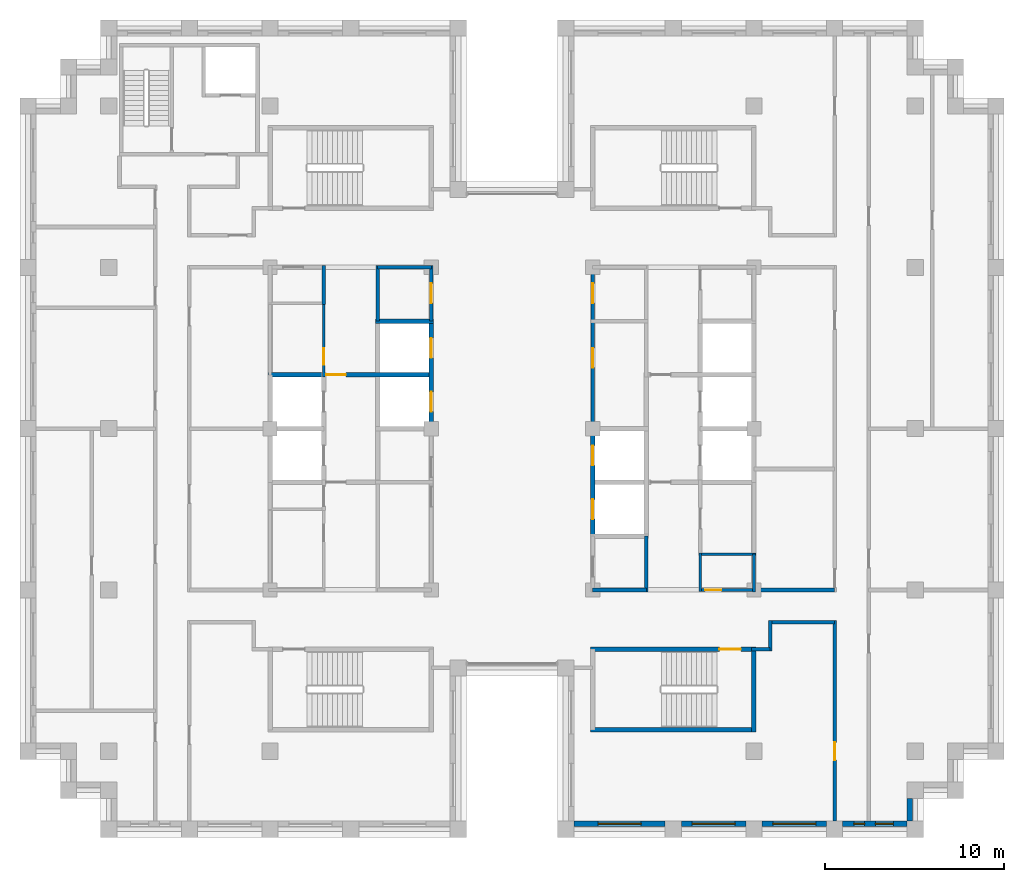
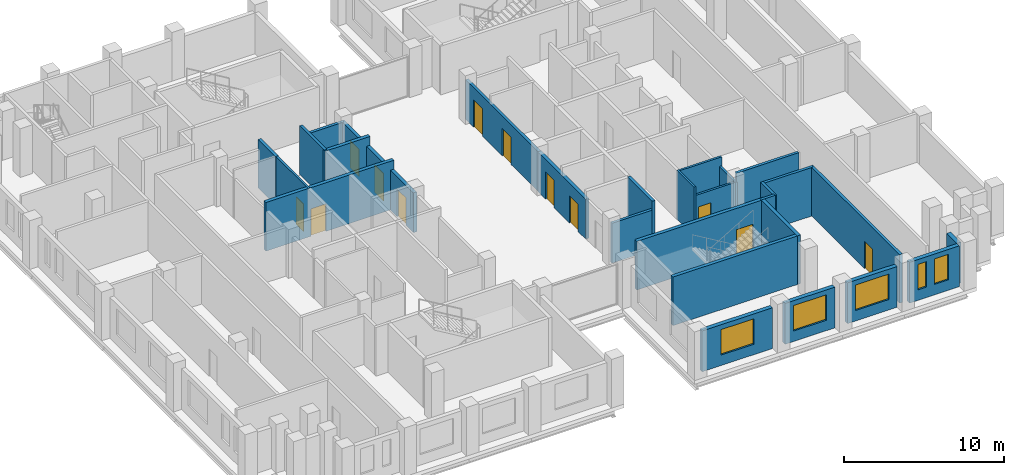
# One storey, part 8 of 13: 29 walls, 12 doors, 5 windows, 17 openings.
"""IFC4 building model written with IfcOpenShell, lengths in metres."""

from ifc_helpers import new_model, si_unit, direction, frame, frame_2d, origin, place, context, subcontext, project, spatial, rectangle, extrude, material, layer, layer_set, type_object, element, fill, save


model = new_model("IFC4")

# Units and contexts
model_context = context("Model", 3, precision=1e-05, world=origin(), true_north=direction((0.0, 1.0)))
body_context = subcontext(model_context, "Body", "Model", "MODEL_VIEW")
ifc_project = project(units=[si_unit("LENGTHUNIT", "METRE"), si_unit("AREAUNIT", "SQUARE_METRE"), si_unit("VOLUMEUNIT", "CUBIC_METRE"), si_unit("PLANEANGLEUNIT", "RADIAN"), si_unit("MASSUNIT", "GRAM", prefix="KILO")], contexts=[model_context])

# Site, building, storey
site_placement = place(None, origin())
site = spatial("IfcSite", under=ifc_project, at=site_placement, CompositionType="ELEMENT")
building_placement = place(site_placement, origin())
building = spatial("IfcBuilding", under=site, at=building_placement, Name="Corbelhall Arena Tower", CompositionType="ELEMENT")
storey_placement = place(building_placement, frame((0.0, 0.0, 266.0)))
storey = spatial("IfcBuildingStorey", under=building, at=storey_placement, Name="L57", CompositionType="ELEMENT", Elevation=266.0)

# Wall, opening, window
ifc_material_1 = material(Name="Precast concrete C40/50 with granite facing", Category="masonry")
ifc_layer_1 = layer(ifc_material_1, 0.300048828125)
ifc_layer_set_1 = layer_set([ifc_layer_1], Name="EV-IW1 Infill panel 300")
wall_type_1 = type_object("IfcWallType", Name="EV-IW1 Infill panel 300", PredefinedType="SOLIDWALL", material=ifc_layer_set_1)
wall_1_placement = place(storey_placement, frame((3.449951171875, -22.050048828125, 0.0), z_axis=(0.0, 0.0, 1.0), x_axis=(1.0, 0.0, 0.0)))
wall_1 = element("IfcWall", 1, at=wall_1_placement, inside=storey, type_object=wall_type_1, Name="Infill panel IW1", PredefinedType="SOLIDWALL", context=body_context, shape_type="SweptSolid", body=[
    extrude(rectangle(XDim=5.10009765625, YDim=0.300048828125, at=frame_2d((2.550048828125, 0.0))), origin(), (0.0, 0.0, 1.0), 3.1201171875),
])
opening_1_placement = place(wall_1_placement, frame((1.35009765625, 0.0, 0.800048828125)))
opening_1 = element("IfcOpeningElement", 2, at=opening_1_placement, cuts=wall_1, Name="Opening WN1", PredefinedType="OPENING", context=body_context, shape_type="SweptSolid", body=[
    extrude(rectangle(XDim=2.39990234375, YDim=1.949951171875, at=frame_2d((1.199951171875, 0.97509765625))), frame((0.0, 0.14990234375, 0.0), z_axis=(0.0, -1.0, 0.0), x_axis=(1.0, 0.0, 0.0)), (0.0, 0.0, 1.0), 0.300048828125),
])
ifc_material_2 = material(Name="Aluminium black anodised", Category="aluminium")
window_type_1 = type_object("IfcWindowType", Name="EV-WN1 Office window", PartitioningType="SINGLE_PANEL", PredefinedType="WINDOW", material=ifc_material_2)
window_1_placement = place(opening_1_placement, origin())
window_1 = element("IfcWindow", 3, at=window_1_placement, inside=storey, type_object=window_type_1, Name="Window WN1", OverallHeight=1.949951171875, OverallWidth=2.39990234375, PartitioningType="SINGLE_PANEL", PredefinedType="WINDOW", context=body_context, shape_type="SweptSolid", body=[
    extrude(rectangle(XDim=2.39990234375, YDim=1.949951171875, at=frame_2d((1.199951171875, 0.97509765625))), frame((0.0, 0.030029296875, 0.0), z_axis=(0.0, -1.0, 0.0), x_axis=(1.0, 0.0, 0.0)), (0.0, 0.0, 1.0), 0.06005859375),
])
fill(opening_1, window_1)

wall_2_placement = place(storey_placement, frame((9.449951171875, -22.050048828125, 0.0), z_axis=(0.0, 0.0, 1.0), x_axis=(1.0, 0.0, 0.0)))
wall_2 = element("IfcWall", 4, at=wall_2_placement, inside=storey, type_object=wall_type_1, Name="Infill panel IW1", PredefinedType="SOLIDWALL", context=body_context, shape_type="SweptSolid", body=[
    extrude(rectangle(XDim=3.60009765625, YDim=0.300048828125, at=frame_2d((1.800048828125, 0.0))), origin(), (0.0, 0.0, 1.0), 3.1201171875),
])
opening_2_placement = place(wall_2_placement, frame((0.60009765625, 0.0, 0.800048828125)))
opening_2 = element("IfcOpeningElement", 5, at=opening_2_placement, cuts=wall_2, Name="Opening WN1", PredefinedType="OPENING", context=body_context, shape_type="SweptSolid", body=[
    extrude(rectangle(XDim=2.39990234375, YDim=1.949951171875, at=frame_2d((1.199951171875, 0.97509765625))), frame((0.0, 0.14990234375, 0.0), z_axis=(0.0, -1.0, 0.0), x_axis=(1.0, 0.0, 0.0)), (0.0, 0.0, 1.0), 0.300048828125),
])
window_2_placement = place(opening_2_placement, origin())
window_2 = element("IfcWindow", 6, at=window_2_placement, inside=storey, type_object=window_type_1, Name="Window WN1", OverallHeight=1.949951171875, OverallWidth=2.39990234375, PartitioningType="SINGLE_PANEL", PredefinedType="WINDOW", context=body_context, shape_type="SweptSolid", body=[
    extrude(rectangle(XDim=2.39990234375, YDim=1.949951171875, at=frame_2d((1.199951171875, 0.97509765625))), frame((0.0, 0.030029296875, 0.0), z_axis=(0.0, -1.0, 0.0), x_axis=(1.0, 0.0, 0.0)), (0.0, 0.0, 1.0), 0.06005859375),
])
fill(opening_2, window_2)

wall_3_placement = place(storey_placement, frame((13.949951171875, -22.050048828125, 0.0), z_axis=(0.0, 0.0, 1.0), x_axis=(1.0, 0.0, 0.0)))
wall_3 = element("IfcWall", 7, at=wall_3_placement, inside=storey, type_object=wall_type_1, Name="Infill panel IW1", PredefinedType="SOLIDWALL", context=body_context, shape_type="SweptSolid", body=[
    extrude(rectangle(XDim=3.60009765625, YDim=0.300048828125, at=frame_2d((1.800048828125, 0.0))), origin(), (0.0, 0.0, 1.0), 3.1201171875),
])
opening_3_placement = place(wall_3_placement, frame((0.60009765625, 0.0, 0.800048828125)))
opening_3 = element("IfcOpeningElement", 8, at=opening_3_placement, cuts=wall_3, Name="Opening WN1", PredefinedType="OPENING", context=body_context, shape_type="SweptSolid", body=[
    extrude(rectangle(XDim=2.39990234375, YDim=1.949951171875, at=frame_2d((1.199951171875, 0.97509765625))), frame((0.0, 0.14990234375, 0.0), z_axis=(0.0, -1.0, 0.0), x_axis=(1.0, 0.0, 0.0)), (0.0, 0.0, 1.0), 0.300048828125),
])
window_3_placement = place(opening_3_placement, origin())
window_3 = element("IfcWindow", 9, at=window_3_placement, inside=storey, type_object=window_type_1, Name="Window WN1", OverallHeight=1.949951171875, OverallWidth=2.39990234375, PartitioningType="SINGLE_PANEL", PredefinedType="WINDOW", context=body_context, shape_type="SweptSolid", body=[
    extrude(rectangle(XDim=2.39990234375, YDim=1.949951171875, at=frame_2d((1.199951171875, 0.97509765625))), frame((0.0, 0.030029296875, 0.0), z_axis=(0.0, -1.0, 0.0), x_axis=(1.0, 0.0, 0.0)), (0.0, 0.0, 1.0), 0.06005859375),
])
fill(opening_3, window_3)

# Wall, openings, windows
wall_4_placement = place(storey_placement, frame((18.449951171875, -22.050048828125, 0.0), z_axis=(0.0, 0.0, 1.0), x_axis=(1.0, 0.0, 0.0)))
wall_4 = element("IfcWall", 10, at=wall_4_placement, inside=storey, type_object=wall_type_1, Name="Infill panel IW1", PredefinedType="SOLIDWALL", context=body_context, shape_type="SweptSolid", body=[
    extrude(rectangle(XDim=3.60009765625, YDim=0.300048828125, at=frame_2d((1.800048828125, 0.0))), origin(), (0.0, 0.0, 1.0), 3.1201171875),
])
opening_4_placement = place(wall_4_placement, frame((0.625, 0.0, 0.800048828125)))
opening_4 = element("IfcOpeningElement", 11, at=opening_4_placement, cuts=wall_4, Name="Opening WN5", PredefinedType="OPENING", context=body_context, shape_type="SweptSolid", body=[
    extrude(rectangle(XDim=0.60009765625, YDim=1.949951171875, at=frame_2d((0.300048828125, 0.97509765625))), frame((0.0, 0.14990234375, 0.0), z_axis=(0.0, -1.0, 0.0), x_axis=(1.0, 0.0, 0.0)), (0.0, 0.0, 1.0), 0.300048828125),
])
opening_5_placement = place(wall_4_placement, frame((1.824951171875, 0.0, 0.800048828125)))
opening_5 = element("IfcOpeningElement", 12, at=opening_5_placement, cuts=wall_4, Name="Opening WN6", PredefinedType="OPENING", context=body_context, shape_type="SweptSolid", body=[
    extrude(rectangle(XDim=1.0, YDim=1.949951171875, at=frame_2d((0.5, 0.97509765625))), frame((0.0, 0.14990234375, 0.0), z_axis=(0.0, -1.0, 0.0), x_axis=(1.0, 0.0, 0.0)), (0.0, 0.0, 1.0), 0.300048828125),
])
window_type_2 = type_object("IfcWindowType", Name="EV-WN5 Office window 600", PartitioningType="SINGLE_PANEL", PredefinedType="WINDOW", material=ifc_material_2)
window_4_placement = place(opening_4_placement, origin())
window_4 = element("IfcWindow", 13, at=window_4_placement, inside=storey, type_object=window_type_2, Name="Window WN5", OverallHeight=1.949951171875, OverallWidth=0.60009765625, PartitioningType="SINGLE_PANEL", PredefinedType="WINDOW", context=body_context, shape_type="SweptSolid", body=[
    extrude(rectangle(XDim=0.60009765625, YDim=1.949951171875, at=frame_2d((0.300048828125, 0.97509765625))), frame((0.0, 0.030029296875, 0.0), z_axis=(0.0, -1.0, 0.0), x_axis=(1.0, 0.0, 0.0)), (0.0, 0.0, 1.0), 0.06005859375),
])
fill(opening_4, window_4)
window_type_3 = type_object("IfcWindowType", Name="EV-WN6 Office window 1000", PartitioningType="SINGLE_PANEL", PredefinedType="WINDOW", material=ifc_material_2)
window_5_placement = place(opening_5_placement, origin())
window_5 = element("IfcWindow", 14, at=window_5_placement, inside=storey, type_object=window_type_3, Name="Window WN6", OverallHeight=1.949951171875, OverallWidth=1.0, PartitioningType="SINGLE_PANEL", PredefinedType="WINDOW", context=body_context, shape_type="SweptSolid", body=[
    extrude(rectangle(XDim=1.0, YDim=1.949951171875, at=frame_2d((0.5, 0.97509765625))), frame((0.0, 0.030029296875, 0.0), z_axis=(0.0, -1.0, 0.0), x_axis=(1.0, 0.0, 0.0)), (0.0, 0.0, 1.0), 0.06005859375),
])
fill(opening_5, window_5)

# Walls
wall_5_placement = place(storey_placement, frame((22.199951171875, -21.89990234375, 0.0), z_axis=(0.0, 0.0, 1.0), x_axis=(0.0, 1.0, 0.0)))
element("IfcWall", 15, at=wall_5_placement, inside=storey, type_object=wall_type_1, Name="Infill panel IW1", PredefinedType="SOLIDWALL", context=body_context, shape_type="SweptSolid", body=[
    extrude(rectangle(XDim=1.27490234375, YDim=0.300048828125, at=frame_2d((0.637451171875, 0.0))), origin(), (0.0, 0.0, 1.0), 3.1201171875),
])
ifc_material_3 = material(Name="Gypsum board on steel stud, acoustic", Category="steel")
ifc_layer_2 = layer(ifc_material_3, 0.199951171875)
ifc_layer_set_2 = layer_set([ifc_layer_2], Name="IN-W-DM200")
wall_type_2 = type_object("IfcWallType", Name="IN-W-DM200", PredefinedType="PARTITIONING", material=ifc_layer_set_2)
wall_6_placement = place(storey_placement, frame((13.5, -9.0, 0.0), z_axis=(0.0, 0.0, 1.0), x_axis=(1.0, 0.0, 0.0)))
element("IfcWall", 16, at=wall_6_placement, inside=storey, type_object=wall_type_2, Name="Partition 028", PredefinedType="PARTITIONING", context=body_context, shape_type="SweptSolid", body=[
    extrude(rectangle(XDim=4.5, YDim=0.199951171875, at=frame_2d((2.25, 0.0))), origin(), (0.0, 0.0, 1.0), 3.719970703125),
])
wall_7_placement = place(storey_placement, frame((14.39990234375, -12.300048828125, 0.0), z_axis=(0.0, 0.0, 1.0), x_axis=(-1.0, 0.0, 0.0)))
element("IfcWall", 17, at=wall_7_placement, inside=storey, type_object=wall_type_2, Name="Partition 030", PredefinedType="PARTITIONING", context=body_context, shape_type="SweptSolid", body=[
    extrude(rectangle(XDim=1.02490234375, YDim=0.199951171875, at=frame_2d((0.512451171875, 0.0))), origin(), (0.0, 0.0, 1.0), 3.719970703125),
])
wall_8_placement = place(storey_placement, frame((14.39990234375, -10.699951171875, 0.0), z_axis=(0.0, 0.0, 1.0), x_axis=(0.0, -1.0, 0.0)))
element("IfcWall", 18, at=wall_8_placement, inside=storey, type_object=wall_type_2, Name="Partition 031", PredefinedType="PARTITIONING", context=body_context, shape_type="SweptSolid", body=[
    extrude(rectangle(XDim=1.699951171875, YDim=0.199951171875, at=frame_2d((0.85009765625, 0.0))), origin(), (0.0, 0.0, 1.0), 3.719970703125),
])

# Wall, opening, door
wall_9_placement = place(storey_placement, frame((18.0, -21.89990234375, 0.0), z_axis=(0.0, 0.0, 1.0), x_axis=(0.0, 1.0, 0.0)))
wall_9 = element("IfcWall", 19, at=wall_9_placement, inside=storey, type_object=wall_type_2, Name="Partition 035", PredefinedType="PARTITIONING", context=body_context, shape_type="SweptSolid", body=[
    extrude(rectangle(XDim=11.199951171875, YDim=0.199951171875, at=frame_2d((5.60009765625, 0.0))), origin(), (0.0, 0.0, 1.0), 3.719970703125),
])
opening_6_placement = place(wall_9_placement, frame((3.39990234375, 0.0, 0.0)))
opening_6 = element("IfcOpeningElement", 20, at=opening_6_placement, cuts=wall_9, Name="Opening 18029", PredefinedType="OPENING", context=body_context, shape_type="SweptSolid", body=[
    extrude(rectangle(XDim=1.0, YDim=2.10009765625, at=frame_2d((0.5, 1.050048828125))), frame((0.0, 0.10009765625, 0.0), z_axis=(0.0, -1.0, 0.0), x_axis=(1.0, 0.0, 0.0)), (0.0, 0.0, 1.0), 0.199951171875),
])
ifc_material_4 = material(Name="Steel door set", Category="steel")
door_type_1 = type_object("IfcDoorType", Name="IN-D-SW100", OperationType="NOTDEFINED", PredefinedType="DOOR", material=ifc_material_4)
door_1_placement = place(opening_6_placement, origin())
door_1 = element("IfcDoor", 21, at=door_1_placement, inside=storey, type_object=door_type_1, Name="Door 029", OperationType="SINGLE_SWING_RIGHT", OverallHeight=2.10009765625, OverallWidth=1.0, PredefinedType="DOOR", context=body_context, shape_type="SweptSolid", body=[
    extrude(rectangle(XDim=1.0, YDim=2.10009765625, at=frame_2d((0.5, 1.050048828125))), frame((0.0, 0.02490234375, 0.0), z_axis=(0.0, -1.0, 0.0), x_axis=(1.0, 0.0, 0.0)), (0.0, 0.0, 1.0), 0.050048828125),
])
fill(opening_6, door_1)

# Walls
wall_10_placement = place(storey_placement, frame((18.0, -10.800048828125, 0.0), z_axis=(0.0, 0.0, 1.0), x_axis=(-1.0, 0.0, 0.0)))
element("IfcWall", 22, at=wall_10_placement, inside=storey, type_object=wall_type_2, Name="Partition 036", PredefinedType="PARTITIONING", context=body_context, shape_type="SweptSolid", body=[
    extrude(rectangle(XDim=3.60009765625, YDim=0.199951171875, at=frame_2d((1.800048828125, 0.0))), origin(), (0.0, 0.0, 1.0), 3.719970703125),
])
ifc_material_5 = material(Name="Concrete block wall", Category="concrete")
ifc_layer_3 = layer(ifc_material_5, 0.199951171875)
ifc_layer_set_3 = layer_set([ifc_layer_3], Name="IN-W-RS200")
wall_type_3 = type_object("IfcWallType", Name="IN-W-RS200", PredefinedType="SOLIDWALL", material=ifc_layer_set_3)
wall_11_placement = place(storey_placement, frame((-10.5, 6.925048828125, 0.0), z_axis=(0.0, 0.0, 1.0), x_axis=(0.0, 1.0, 0.0)))
element("IfcWall", 23, at=wall_11_placement, inside=storey, type_object=wall_type_3, Name="Partition 047", PredefinedType="SOLIDWALL", context=body_context, shape_type="SweptSolid", body=[
    extrude(rectangle(XDim=2.175048828125, YDim=0.199951171875, at=frame_2d((1.08740234375, 0.0))), origin(), (0.0, 0.0, 1.0), 3.719970703125),
])
for number, where, z_axis, x_axis, name in (
    (24, (-7.5, 6.0, 0.0), (0.0, 0.0, 1.0), (0.0, 1.0, 0.0), "Partition 050"),
    (25, (7.5, -6.0, 0.0), (0.0, 0.0, 1.0), (0.0, -1.0, 0.0), "Partition 060"),
):
    element("IfcWall", number, at=place(storey_placement, frame(where, z_axis=z_axis, x_axis=x_axis)), inside=storey, type_object=wall_type_3, Name=name, PredefinedType="SOLIDWALL", context=body_context, shape_type="SweptSolid", body=[
        extrude(rectangle(XDim=3.10009765625, YDim=0.199951171875, at=frame_2d((1.550048828125, 0.0))), origin(), (0.0, 0.0, 1.0), 3.719970703125),
    ])
ifc_layer_4 = layer(ifc_material_5, 0.199951171875)
ifc_layer_set_4 = layer_set([ifc_layer_4], Name="IN-W-RS200 under beam 678 mm")
wall_type_4 = type_object("IfcWallType", Name="IN-W-RS200 under beam 678 mm", PredefinedType="SOLIDWALL", material=ifc_layer_set_4)
wall_12_placement = place(storey_placement, frame((-7.5, 9.0, 0.0), z_axis=(0.0, 0.0, 1.0), x_axis=(1.0, 0.0, 0.0)))
element("IfcWall", 26, at=wall_12_placement, inside=storey, type_object=wall_type_4, Name="Partition 051", PredefinedType="SOLIDWALL", context=body_context, shape_type="SweptSolid", body=[
    extrude(rectangle(XDim=3.0, YDim=0.199951171875, at=frame_2d((1.5, 0.0))), origin(), (0.0, 0.0, 1.0), 3.041748046875),
])

# Wall, opening, door
wall_13_placement = place(storey_placement, frame((-4.5, 9.10009765625, 0.0), z_axis=(0.0, 0.0, 1.0), x_axis=(0.0, -1.0, 0.0)))
wall_13 = element("IfcWall", 27, at=wall_13_placement, inside=storey, type_object=wall_type_4, Name="Partition 054", PredefinedType="SOLIDWALL", context=body_context, shape_type="SweptSolid", body=[
    extrude(rectangle(XDim=3.10009765625, YDim=0.199951171875, at=frame_2d((1.550048828125, 0.0))), origin(), (0.0, 0.0, 1.0), 3.041748046875),
])
opening_7_placement = place(wall_13_placement, frame((1.0, 0.0, 0.0)))
opening_7 = element("IfcOpeningElement", 28, at=opening_7_placement, cuts=wall_13, Name="Opening 18003", PredefinedType="OPENING", context=body_context, shape_type="SweptSolid", body=[
    extrude(rectangle(XDim=1.10009765625, YDim=2.10009765625, at=frame_2d((0.550048828125, 1.050048828125))), frame((0.0, 0.10009765625, 0.0), z_axis=(0.0, -1.0, 0.0), x_axis=(1.0, 0.0, 0.0)), (0.0, 0.0, 1.0), 0.199951171875),
])
door_type_2 = type_object("IfcDoorType", Name="IN-D-FD110", OperationType="NOTDEFINED", PredefinedType="DOOR", material=ifc_material_4)
door_2_placement = place(opening_7_placement, origin())
door_2 = element("IfcDoor", 29, at=door_2_placement, inside=storey, type_object=door_type_2, Name="Door 003", OperationType="SINGLE_SWING_RIGHT", OverallHeight=2.10009765625, OverallWidth=1.10009765625, PredefinedType="DOOR", context=body_context, shape_type="SweptSolid", body=[
    extrude(rectangle(XDim=1.10009765625, YDim=2.10009765625, at=frame_2d((0.550048828125, 1.050048828125))), frame((0.0, 0.02490234375, 0.0), z_axis=(0.0, -1.0, 0.0), x_axis=(1.0, 0.0, 0.0)), (0.0, 0.0, 1.0), 0.050048828125),
])
fill(opening_7, door_2)

# Wall, openings, doors
wall_14_placement = place(storey_placement, frame((4.5, 0.0, 0.0), z_axis=(0.0, 0.0, 1.0), x_axis=(0.0, 1.0, 0.0)))
wall_14 = element("IfcWall", 30, at=wall_14_placement, inside=storey, type_object=wall_type_4, Name="Partition 057", PredefinedType="SOLIDWALL", context=body_context, shape_type="SweptSolid", body=[
    extrude(rectangle(XDim=9.10009765625, YDim=0.199951171875, at=frame_2d((4.550048828125, 0.0))), origin(), (0.0, 0.0, 1.0), 3.041748046875),
])
opening_8_placement = place(wall_14_placement, frame((3.39990234375, 0.0, 0.0)))
opening_8 = element("IfcOpeningElement", 31, at=opening_8_placement, cuts=wall_14, Name="Opening 18011", PredefinedType="OPENING", context=body_context, shape_type="SweptSolid", body=[
    extrude(rectangle(XDim=1.10009765625, YDim=2.10009765625, at=frame_2d((0.550048828125, 1.050048828125))), frame((0.0, 0.10009765625, 0.0), z_axis=(0.0, -1.0, 0.0), x_axis=(1.0, 0.0, 0.0)), (0.0, 0.0, 1.0), 0.199951171875),
])
opening_9_placement = place(wall_14_placement, frame((7.0, 0.0, 0.0)))
opening_9 = element("IfcOpeningElement", 32, at=opening_9_placement, cuts=wall_14, Name="Opening 18012", PredefinedType="OPENING", context=body_context, shape_type="SweptSolid", body=[
    extrude(rectangle(XDim=1.10009765625, YDim=2.10009765625, at=frame_2d((0.550048828125, 1.050048828125))), frame((0.0, 0.10009765625, 0.0), z_axis=(0.0, -1.0, 0.0), x_axis=(1.0, 0.0, 0.0)), (0.0, 0.0, 1.0), 0.199951171875),
])
door_3_placement = place(opening_8_placement, origin())
door_3 = element("IfcDoor", 33, at=door_3_placement, inside=storey, type_object=door_type_2, Name="Door 011", OperationType="SINGLE_SWING_RIGHT", OverallHeight=2.10009765625, OverallWidth=1.10009765625, PredefinedType="DOOR", context=body_context, shape_type="SweptSolid", body=[
    extrude(rectangle(XDim=1.10009765625, YDim=2.10009765625, at=frame_2d((0.550048828125, 1.050048828125))), frame((0.0, 0.02490234375, 0.0), z_axis=(0.0, -1.0, 0.0), x_axis=(1.0, 0.0, 0.0)), (0.0, 0.0, 1.0), 0.050048828125),
])
fill(opening_8, door_3)
door_4_placement = place(opening_9_placement, origin())
door_4 = element("IfcDoor", 34, at=door_4_placement, inside=storey, type_object=door_type_2, Name="Door 012", OperationType="SINGLE_SWING_LEFT", OverallHeight=2.10009765625, OverallWidth=1.10009765625, PredefinedType="DOOR", context=body_context, shape_type="SweptSolid", body=[
    extrude(rectangle(XDim=1.10009765625, YDim=2.10009765625, at=frame_2d((0.550048828125, 1.050048828125))), frame((0.0, 0.02490234375, 0.0), z_axis=(0.0, -1.0, 0.0), x_axis=(1.0, 0.0, 0.0)), (0.0, 0.0, 1.0), 0.050048828125),
])
fill(opening_9, door_4)

# Wall
wall_15_placement = place(storey_placement, frame((7.5, -9.0, 0.0), z_axis=(0.0, 0.0, 1.0), x_axis=(-1.0, 0.0, 0.0)))
element("IfcWall", 35, at=wall_15_placement, inside=storey, type_object=wall_type_4, Name="Partition 059", PredefinedType="SOLIDWALL", context=body_context, shape_type="SweptSolid", body=[
    extrude(rectangle(XDim=3.0, YDim=0.199951171875, at=frame_2d((1.5, 0.0))), origin(), (0.0, 0.0, 1.0), 3.041748046875),
])

# Wall, opening, door
ifc_material_6 = material(Name="Concrete C40/50", Category="concrete")
ifc_layer_5 = layer(ifc_material_6, 0.25)
ifc_layer_set_5 = layer_set([ifc_layer_5], Name="IN-W-SH250")
wall_type_5 = type_object("IfcWallType", Name="IN-W-SH250", PredefinedType="SOLIDWALL", material=ifc_layer_set_5)
wall_16_placement = place(storey_placement, frame((-13.625, 3.0, 0.0), z_axis=(0.0, 0.0, 1.0), x_axis=(1.0, 0.0, 0.0)))
wall_16 = element("IfcWall", 36, at=wall_16_placement, inside=storey, type_object=wall_type_5, Name="Shaft wall 068", PredefinedType="SOLIDWALL", context=body_context, shape_type="SweptSolid", body=[
    extrude(rectangle(XDim=9.25, YDim=0.25, at=frame_2d((4.625, 0.0))), origin(), (0.0, 0.0, 1.0), 3.719970703125),
])
opening_10_placement = place(wall_16_placement, frame((3.25, 0.0, 0.0)))
opening_10 = element("IfcOpeningElement", 37, at=opening_10_placement, cuts=wall_16, Name="Opening 18005", PredefinedType="OPENING", context=body_context, shape_type="SweptSolid", body=[
    extrude(rectangle(XDim=1.10009765625, YDim=2.10009765625, at=frame_2d((0.550048828125, 1.050048828125))), frame((0.0, 0.125, 0.0), z_axis=(0.0, -1.0, 0.0), x_axis=(1.0, 0.0, 0.0)), (0.0, 0.0, 1.0), 0.25),
])
door_5_placement = place(opening_10_placement, origin())
door_5 = element("IfcDoor", 38, at=door_5_placement, inside=storey, type_object=door_type_2, Name="Door 005", OperationType="SINGLE_SWING_RIGHT", OverallHeight=2.10009765625, OverallWidth=1.10009765625, PredefinedType="DOOR", context=body_context, shape_type="SweptSolid", body=[
    extrude(rectangle(XDim=1.10009765625, YDim=2.10009765625, at=frame_2d((0.550048828125, 1.050048828125))), frame((0.0, 0.02490234375, 0.0), z_axis=(0.0, -1.0, 0.0), x_axis=(1.0, 0.0, 0.0)), (0.0, 0.0, 1.0), 0.050048828125),
])
fill(opening_10, door_5)

# Wall
wall_17_placement = place(storey_placement, frame((-7.625, 6.0, 0.0), z_axis=(0.0, 0.0, 1.0), x_axis=(1.0, 0.0, 0.0)))
element("IfcWall", 39, at=wall_17_placement, inside=storey, type_object=wall_type_5, Name="Shaft wall 073", PredefinedType="SOLIDWALL", context=body_context, shape_type="SweptSolid", body=[
    extrude(rectangle(XDim=3.25, YDim=0.25, at=frame_2d((1.625, 0.0))), origin(), (0.0, 0.0, 1.0), 3.719970703125),
])

# Wall, openings, doors
ifc_layer_6 = layer(ifc_material_6, 0.25)
ifc_layer_set_6 = layer_set([ifc_layer_6], Name="IN-W-SH250 under beam 678 mm")
wall_type_6 = type_object("IfcWallType", Name="IN-W-SH250 under beam 678 mm", PredefinedType="SOLIDWALL", material=ifc_layer_set_6)
wall_18_placement = place(storey_placement, frame((-4.5, 6.0, 0.0), z_axis=(0.0, 0.0, 1.0), x_axis=(0.0, -1.0, 0.0)))
wall_18 = element("IfcWall", 40, at=wall_18_placement, inside=storey, type_object=wall_type_6, Name="Shaft wall 075", PredefinedType="SOLIDWALL", context=body_context, shape_type="SweptSolid", body=[
    extrude(rectangle(XDim=6.0, YDim=0.25, at=frame_2d((3.0, 0.0))), origin(), (0.0, 0.0, 1.0), 3.041748046875),
])
opening_11_placement = place(wall_18_placement, frame((3.949951171875, 0.0, 0.0)))
opening_11 = element("IfcOpeningElement", 41, at=opening_11_placement, cuts=wall_18, Name="Opening LD", PredefinedType="OPENING", context=body_context, shape_type="SweptSolid", body=[
    extrude(rectangle(XDim=1.10009765625, YDim=2.10009765625, at=frame_2d((0.550048828125, 1.050048828125))), frame((0.0, 0.125, 0.0), z_axis=(0.0, -1.0, 0.0), x_axis=(1.0, 0.0, 0.0)), (0.0, 0.0, 1.0), 0.25),
])
opening_12_placement = place(wall_18_placement, frame((0.949951171875, 0.0, 0.0)))
opening_12 = element("IfcOpeningElement", 42, at=opening_12_placement, cuts=wall_18, Name="Opening LD", PredefinedType="OPENING", context=body_context, shape_type="SweptSolid", body=[
    extrude(rectangle(XDim=1.10009765625, YDim=2.10009765625, at=frame_2d((0.550048828125, 1.050048828125))), frame((0.0, 0.125, 0.0), z_axis=(0.0, -1.0, 0.0), x_axis=(1.0, 0.0, 0.0)), (0.0, 0.0, 1.0), 0.25),
])
door_type_3 = type_object("IfcDoorType", Name="IN-D-LD110", OperationType="NOTDEFINED", PredefinedType="DOOR", material=ifc_material_4)
door_6_placement = place(opening_11_placement, origin())
door_6 = element("IfcDoor", 43, at=door_6_placement, inside=storey, type_object=door_type_3, Name="Landing door W4", OperationType="SLIDING_TO_LEFT", OverallHeight=2.10009765625, OverallWidth=1.10009765625, PredefinedType="DOOR", context=body_context, shape_type="SweptSolid", body=[
    extrude(rectangle(XDim=1.10009765625, YDim=2.10009765625, at=frame_2d((0.550048828125, 1.050048828125))), frame((0.0, 0.02490234375, 0.0), z_axis=(0.0, -1.0, 0.0), x_axis=(1.0, 0.0, 0.0)), (0.0, 0.0, 1.0), 0.050048828125),
])
fill(opening_11, door_6)
door_7_placement = place(opening_12_placement, origin())
door_7 = element("IfcDoor", 44, at=door_7_placement, inside=storey, type_object=door_type_3, Name="Landing door W5", OperationType="SLIDING_TO_LEFT", OverallHeight=2.10009765625, OverallWidth=1.10009765625, PredefinedType="DOOR", context=body_context, shape_type="SweptSolid", body=[
    extrude(rectangle(XDim=1.10009765625, YDim=2.10009765625, at=frame_2d((0.550048828125, 1.050048828125))), frame((0.0, 0.02490234375, 0.0), z_axis=(0.0, -1.0, 0.0), x_axis=(1.0, 0.0, 0.0)), (0.0, 0.0, 1.0), 0.050048828125),
])
fill(opening_12, door_7)

wall_19_placement = place(storey_placement, frame((4.5, -6.0, 0.0), z_axis=(0.0, 0.0, 1.0), x_axis=(0.0, 1.0, 0.0)))
wall_19 = element("IfcWall", 45, at=wall_19_placement, inside=storey, type_object=wall_type_6, Name="Shaft wall 079", PredefinedType="SOLIDWALL", context=body_context, shape_type="SweptSolid", body=[
    extrude(rectangle(XDim=6.0, YDim=0.25, at=frame_2d((3.0, 0.0))), origin(), (0.0, 0.0, 1.0), 3.041748046875),
])
opening_13_placement = place(wall_19_placement, frame((0.949951171875, 0.0, 0.0)))
opening_13 = element("IfcOpeningElement", 46, at=opening_13_placement, cuts=wall_19, Name="Opening LD", PredefinedType="OPENING", context=body_context, shape_type="SweptSolid", body=[
    extrude(rectangle(XDim=1.10009765625, YDim=2.10009765625, at=frame_2d((0.550048828125, 1.050048828125))), frame((0.0, 0.125, 0.0), z_axis=(0.0, -1.0, 0.0), x_axis=(1.0, 0.0, 0.0)), (0.0, 0.0, 1.0), 0.25),
])
opening_14_placement = place(wall_19_placement, frame((3.949951171875, 0.0, 0.0)))
opening_14 = element("IfcOpeningElement", 47, at=opening_14_placement, cuts=wall_19, Name="Opening LD", PredefinedType="OPENING", context=body_context, shape_type="SweptSolid", body=[
    extrude(rectangle(XDim=1.10009765625, YDim=2.10009765625, at=frame_2d((0.550048828125, 1.050048828125))), frame((0.0, 0.125, 0.0), z_axis=(0.0, -1.0, 0.0), x_axis=(1.0, 0.0, 0.0)), (0.0, 0.0, 1.0), 0.25),
])
door_8_placement = place(opening_13_placement, origin())
door_8 = element("IfcDoor", 48, at=door_8_placement, inside=storey, type_object=door_type_3, Name="Landing door E2", OperationType="SLIDING_TO_LEFT", OverallHeight=2.10009765625, OverallWidth=1.10009765625, PredefinedType="DOOR", context=body_context, shape_type="SweptSolid", body=[
    extrude(rectangle(XDim=1.10009765625, YDim=2.10009765625, at=frame_2d((0.550048828125, 1.050048828125))), frame((0.0, 0.02490234375, 0.0), z_axis=(0.0, -1.0, 0.0), x_axis=(1.0, 0.0, 0.0)), (0.0, 0.0, 1.0), 0.050048828125),
])
fill(opening_13, door_8)
door_9_placement = place(opening_14_placement, origin())
door_9 = element("IfcDoor", 49, at=door_9_placement, inside=storey, type_object=door_type_3, Name="Landing door E3", OperationType="SLIDING_TO_LEFT", OverallHeight=2.10009765625, OverallWidth=1.10009765625, PredefinedType="DOOR", context=body_context, shape_type="SweptSolid", body=[
    extrude(rectangle(XDim=1.10009765625, YDim=2.10009765625, at=frame_2d((0.550048828125, 1.050048828125))), frame((0.0, 0.02490234375, 0.0), z_axis=(0.0, -1.0, 0.0), x_axis=(1.0, 0.0, 0.0)), (0.0, 0.0, 1.0), 0.050048828125),
])
fill(opening_14, door_9)

# Walls
ifc_layer_7 = layer(ifc_material_6, 0.25)
ifc_layer_set_7 = layer_set([ifc_layer_7], Name="IN-W-ST250")
wall_type_7 = type_object("IfcWallType", Name="IN-W-ST250", PredefinedType="SOLIDWALL", material=ifc_layer_set_7)
wall_20_placement = place(storey_placement, frame((13.5, -16.800048828125, 0.0), z_axis=(0.0, 0.0, 1.0), x_axis=(-1.0, 0.0, 0.0)))
element("IfcWall", 50, at=wall_20_placement, inside=storey, type_object=wall_type_7, Name="Shaft wall 098", PredefinedType="SOLIDWALL", context=body_context, shape_type="SweptSolid", body=[
    extrude(rectangle(XDim=9.125, YDim=0.25, at=frame_2d((4.5625, 0.0))), origin(), (0.0, 0.0, 1.0), 3.719970703125),
])
wall_21_placement = place(storey_placement, frame((13.5, -12.300048828125, 0.0), z_axis=(0.0, 0.0, 1.0), x_axis=(0.0, -1.0, 0.0)))
element("IfcWall", 51, at=wall_21_placement, inside=storey, type_object=wall_type_7, Name="Shaft wall 099", PredefinedType="SOLIDWALL", context=body_context, shape_type="SweptSolid", body=[
    extrude(rectangle(XDim=4.625, YDim=0.25, at=frame_2d((2.3125, 0.0))), origin(), (0.0, 0.0, 1.0), 3.719970703125),
])

# Wall, opening, door
wall_22_placement = place(storey_placement, frame((13.625, -12.300048828125, 0.0), z_axis=(0.0, 0.0, 1.0), x_axis=(-1.0, 0.0, 0.0)))
wall_22 = element("IfcWall", 52, at=wall_22_placement, inside=storey, type_object=wall_type_7, Name="Shaft wall 101", PredefinedType="SOLIDWALL", context=body_context, shape_type="SweptSolid", body=[
    extrude(rectangle(XDim=9.25, YDim=0.25, at=frame_2d((4.625, 0.0))), origin(), (0.0, 0.0, 1.0), 3.719970703125),
])
opening_15_placement = place(wall_22_placement, frame((0.85009765625, 0.0, 0.0)))
opening_15 = element("IfcOpeningElement", 53, at=opening_15_placement, cuts=wall_22, Name="Opening 18021", PredefinedType="OPENING", context=body_context, shape_type="SweptSolid", body=[
    extrude(rectangle(XDim=1.199951171875, YDim=2.10009765625, at=frame_2d((0.60009765625, 1.050048828125))), frame((0.0, 0.125, 0.0), z_axis=(0.0, -1.0, 0.0), x_axis=(1.0, 0.0, 0.0)), (0.0, 0.0, 1.0), 0.25),
])
door_type_4 = type_object("IfcDoorType", Name="IN-D-ST120", OperationType="NOTDEFINED", PredefinedType="DOOR", material=ifc_material_4)
door_10_placement = place(opening_15_placement, origin())
door_10 = element("IfcDoor", 54, at=door_10_placement, inside=storey, type_object=door_type_4, Name="Door 021", OperationType="SINGLE_SWING_RIGHT", OverallHeight=2.10009765625, OverallWidth=1.199951171875, PredefinedType="DOOR", context=body_context, shape_type="SweptSolid", body=[
    extrude(rectangle(XDim=1.199951171875, YDim=2.10009765625, at=frame_2d((0.60009765625, 1.050048828125))), frame((0.0, 0.02490234375, 0.0), z_axis=(0.0, -1.0, 0.0), x_axis=(1.0, 0.0, 0.0)), (0.0, 0.0, 1.0), 0.050048828125),
])
fill(opening_15, door_10)

ifc_material_7 = material(Name="Gypsum board on steel stud, moisture resistant", Category="steel")
ifc_layer_8 = layer(ifc_material_7, 0.14990234375)
ifc_layer_set_8 = layer_set([ifc_layer_8], Name="IN-W-WC150")
wall_type_8 = type_object("IfcWallType", Name="IN-W-WC150", PredefinedType="PARTITIONING", material=ifc_layer_set_8)
wall_23_placement = place(storey_placement, frame((-10.5, 2.875, 0.0), z_axis=(0.0, 0.0, 1.0), x_axis=(0.0, 1.0, 0.0)))
wall_23 = element("IfcWall", 55, at=wall_23_placement, inside=storey, type_object=wall_type_8, Name="Partition 108", PredefinedType="PARTITIONING", context=body_context, shape_type="SweptSolid", body=[
    extrude(rectangle(XDim=4.199951171875, YDim=0.14990234375, at=frame_2d((2.10009765625, 0.0))), origin(), (0.0, 0.0, 1.0), 3.719970703125),
])
opening_16_placement = place(wall_23_placement, frame((0.699951171875, 0.0, 0.0)))
opening_16 = element("IfcOpeningElement", 56, at=opening_16_placement, cuts=wall_23, Name="Opening 18008", PredefinedType="OPENING", context=body_context, shape_type="SweptSolid", body=[
    extrude(rectangle(XDim=0.89990234375, YDim=2.10009765625, at=frame_2d((0.449951171875, 1.050048828125))), frame((0.0, 0.074951171875, 0.0), z_axis=(0.0, -1.0, 0.0), x_axis=(1.0, 0.0, 0.0)), (0.0, 0.0, 1.0), 0.14990234375),
])
ifc_material_8 = material(Name="Timber door set", Category="wood")
door_type_5 = type_object("IfcDoorType", Name="IN-D-SW90", OperationType="NOTDEFINED", PredefinedType="DOOR", material=ifc_material_8)
door_11_placement = place(opening_16_placement, origin())
door_11 = element("IfcDoor", 57, at=door_11_placement, inside=storey, type_object=door_type_5, Name="Door 008", OperationType="SINGLE_SWING_LEFT", OverallHeight=2.10009765625, OverallWidth=0.89990234375, PredefinedType="DOOR", context=body_context, shape_type="SweptSolid", body=[
    extrude(rectangle(XDim=0.89990234375, YDim=2.10009765625, at=frame_2d((0.449951171875, 1.050048828125))), frame((0.0, 0.02490234375, 0.0), z_axis=(0.0, -1.0, 0.0), x_axis=(1.0, 0.0, 0.0)), (0.0, 0.0, 1.0), 0.050048828125),
])
fill(opening_16, door_11)

# Walls
wall_24_placement = place(storey_placement, frame((10.5, -7.0, 0.0), z_axis=(0.0, 0.0, 1.0), x_axis=(1.0, 0.0, 0.0)))
element("IfcWall", 58, at=wall_24_placement, inside=storey, type_object=wall_type_8, Name="Partition 109", PredefinedType="PARTITIONING", context=body_context, shape_type="SweptSolid", body=[
    extrude(rectangle(XDim=3.10009765625, YDim=0.14990234375, at=frame_2d((1.550048828125, 0.0))), origin(), (0.0, 0.0, 1.0), 3.719970703125),
])
wall_25_placement = place(storey_placement, frame((10.5, -6.925048828125, 0.0), z_axis=(0.0, 0.0, 1.0), x_axis=(0.0, -1.0, 0.0)))
element("IfcWall", 59, at=wall_25_placement, inside=storey, type_object=wall_type_8, Name="Partition 110", PredefinedType="PARTITIONING", context=body_context, shape_type="SweptSolid", body=[
    extrude(rectangle(XDim=2.14990234375, YDim=0.14990234375, at=frame_2d((1.074951171875, 0.0))), origin(), (0.0, 0.0, 1.0), 3.719970703125),
])
ifc_layer_9 = layer(ifc_material_7, 0.14990234375)
ifc_layer_set_9 = layer_set([ifc_layer_9], Name="IN-W-WC150 under beam 678 mm")
wall_type_9 = type_object("IfcWallType", Name="IN-W-WC150 under beam 678 mm", PredefinedType="PARTITIONING", material=ifc_layer_set_9)
wall_26_placement = place(storey_placement, frame((13.5, -7.0, 0.0), z_axis=(0.0, 0.0, 1.0), x_axis=(0.0, -1.0, 0.0)))
element("IfcWall", 60, at=wall_26_placement, inside=storey, type_object=wall_type_9, Name="Partition 111", PredefinedType="PARTITIONING", context=body_context, shape_type="SweptSolid", body=[
    extrude(rectangle(XDim=2.10009765625, YDim=0.14990234375, at=frame_2d((1.050048828125, 0.0))), origin(), (0.0, 0.0, 1.0), 3.041748046875),
])

# Wall, opening, door
wall_27_placement = place(storey_placement, frame((13.574951171875, -9.0, 0.0), z_axis=(0.0, 0.0, 1.0), x_axis=(-1.0, 0.0, 0.0)))
wall_27 = element("IfcWall", 61, at=wall_27_placement, inside=storey, type_object=wall_type_9, Name="Partition 112", PredefinedType="PARTITIONING", context=body_context, shape_type="SweptSolid", body=[
    extrude(rectangle(XDim=3.074951171875, YDim=0.14990234375, at=frame_2d((1.53759765625, 0.0))), origin(), (0.0, 0.0, 1.0), 3.041748046875),
])
opening_17_placement = place(wall_27_placement, frame((1.89990234375, 0.0, 0.0)))
opening_17 = element("IfcOpeningElement", 62, at=opening_17_placement, cuts=wall_27, Name="Opening 18015", PredefinedType="OPENING", context=body_context, shape_type="SweptSolid", body=[
    extrude(rectangle(XDim=0.89990234375, YDim=2.10009765625, at=frame_2d((0.449951171875, 1.050048828125))), frame((0.0, 0.074951171875, 0.0), z_axis=(0.0, -1.0, 0.0), x_axis=(1.0, 0.0, 0.0)), (0.0, 0.0, 1.0), 0.14990234375),
])
door_12_placement = place(opening_17_placement, origin())
door_12 = element("IfcDoor", 63, at=door_12_placement, inside=storey, type_object=door_type_5, Name="Door 015", OperationType="SINGLE_SWING_RIGHT", OverallHeight=2.10009765625, OverallWidth=0.89990234375, PredefinedType="DOOR", context=body_context, shape_type="SweptSolid", body=[
    extrude(rectangle(XDim=0.89990234375, YDim=2.10009765625, at=frame_2d((0.449951171875, 1.050048828125))), frame((0.0, 0.02490234375, 0.0), z_axis=(0.0, -1.0, 0.0), x_axis=(1.0, 0.0, 0.0)), (0.0, 0.0, 1.0), 0.050048828125),
])
fill(opening_17, door_12)

save(model, "model.ifc")
